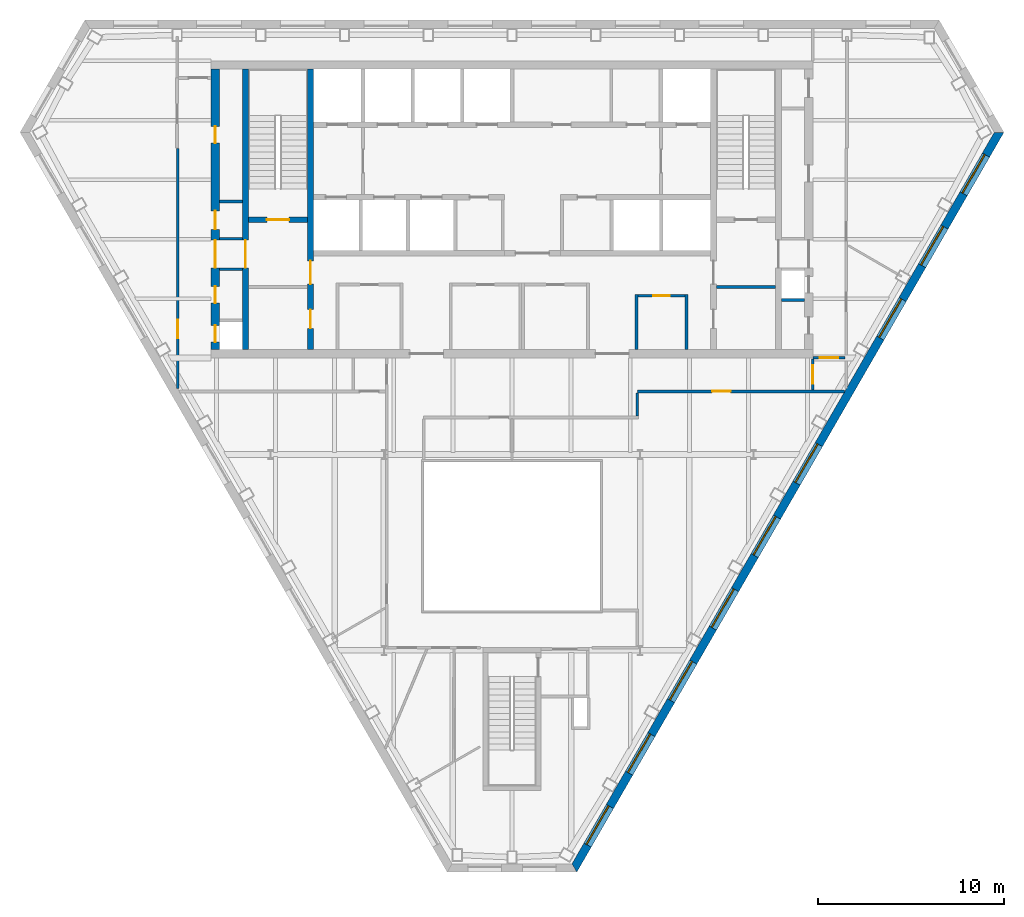
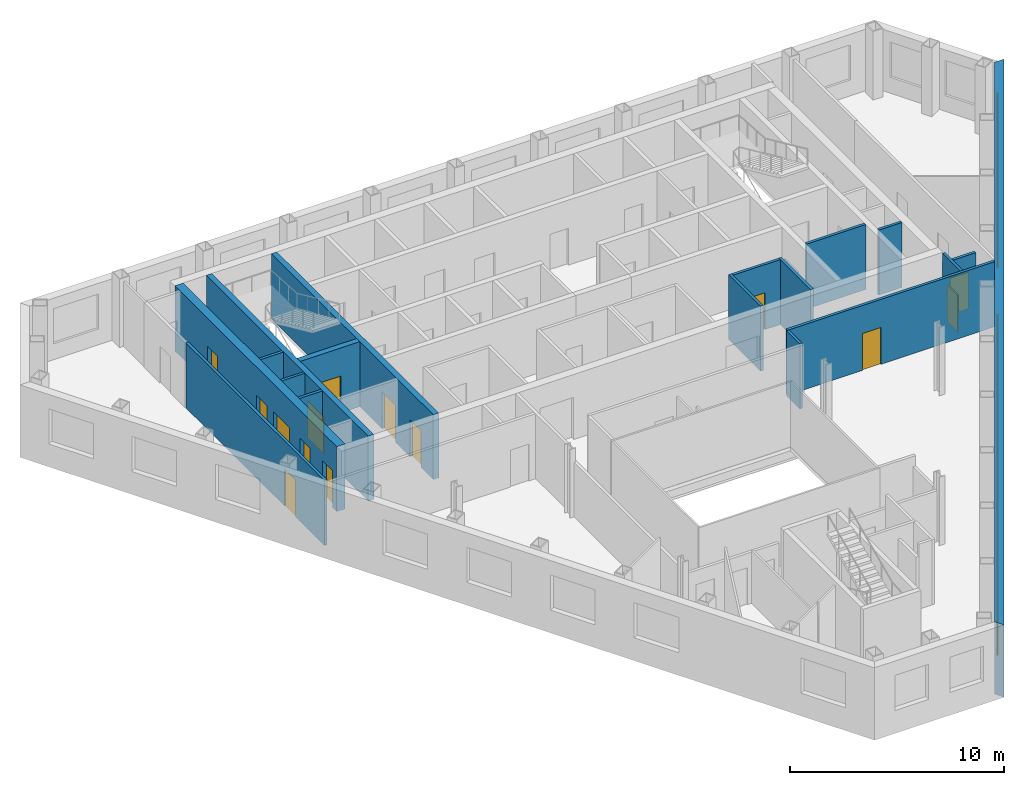
# One storey, part 5 of 11: 18 walls, 14 doors, 9 windows, 23 openings.
"""IFC4 building model written with IfcOpenShell, lengths in metres."""

from ifc_helpers import new_model, si_unit, direction, frame, frame_2d, origin, place, context, subcontext, project, spatial, polyline, rectangle, outline, extrude, material, layer, layer_set, type_object, element, fill, save


model = new_model("IFC4")

# Units and contexts
model_context = context("Model", 3, precision=1e-05, world=origin(), true_north=direction((0.0, 1.0)))
body_context = subcontext(model_context, "Body", "Model", "MODEL_VIEW")
ifc_project = project(units=[si_unit("LENGTHUNIT", "METRE"), si_unit("AREAUNIT", "SQUARE_METRE"), si_unit("VOLUMEUNIT", "CUBIC_METRE"), si_unit("PLANEANGLEUNIT", "RADIAN"), si_unit("MASSUNIT", "GRAM", prefix="KILO")], contexts=[model_context])

# Site, building, storey
site_placement = place(None, origin())
site = spatial("IfcSite", under=ifc_project, at=site_placement, CompositionType="ELEMENT")
building_placement = place(site_placement, origin())
building = spatial("IfcBuilding", under=site, at=building_placement, Name="Njiva Tower", CompositionType="ELEMENT")
storey_placement = place(building_placement, frame((0.0, 0.0, 223.8)))
storey = spatial("IfcBuildingStorey", under=building, at=storey_placement, Name="L50", CompositionType="ELEMENT", Elevation=223.8)

# Walls
ifc_material_1 = material(Name="Blockwork", Category="masonry")
ifc_layer_1 = layer(ifc_material_1, 0.15)
ifc_layer_set_1 = layer_set([ifc_layer_1], Name="Blockwork")
wall_type_1 = type_object("IfcWallType", Name="WT1 Compartment partition 150", PredefinedType="PARTITIONING", material=ifc_layer_set_1)
wall_1_placement = place(storey_placement, frame((11.0, 5.825, 0.0), z_axis=(0.0, 0.0, 1.0), x_axis=(1.0, 0.0, 0.0)))
element("IfcWall", 1, at=wall_1_placement, inside=storey, type_object=wall_type_1, Name="Room wall B", PredefinedType="PARTITIONING", context=body_context, shape_type="SweptSolid", body=[
    extrude(rectangle(XDim=3.2, YDim=0.15, at=frame_2d((1.6, 0.0))), origin(), (0.0, 0.0, 1.0), 3.7),
])
wall_2_placement = place(storey_placement, frame((-15.75, 10.4244, 0.0), z_axis=(0.0, 0.0, 1.0), x_axis=(1.0, 0.0, 0.0)))
element("IfcWall", 2, at=wall_2_placement, inside=storey, type_object=wall_type_1, Name="Partition strip W10", PredefinedType="PARTITIONING", context=body_context, shape_type="SweptSolid", body=[
    extrude(rectangle(XDim=1.25, YDim=0.15, at=frame_2d((0.625, 0.0))), origin(), (0.0, 0.0, 1.0), 3.7),
])
for number, where, z_axis, x_axis, name in (
    (3, (6.7, 2.45, 0.0), (0.0, 0.0, 1.0), (0.0, 1.0, 0.0), "Security office wall west"),
    (4, (9.4, 2.45, 0.0), (0.0, 0.0, 1.0), (0.0, 1.0, 0.0), "Security office wall east"),
):
    element("IfcWall", number, at=place(storey_placement, frame(where, z_axis=z_axis, x_axis=x_axis)), inside=storey, type_object=wall_type_1, Name=name, PredefinedType="PARTITIONING", context=body_context, shape_type="SweptSolid", body=[
        extrude(rectangle(XDim=2.975, YDim=0.15, at=frame_2d((1.4875, 0.0))), origin(), (0.0, 0.0, 1.0), 3.7),
    ])

# Wall, opening, door
wall_3_placement = place(storey_placement, frame((6.775, 5.35, 0.0), z_axis=(0.0, 0.0, 1.0), x_axis=(1.0, 0.0, 0.0)))
wall_3 = element("IfcWall", 5, at=wall_3_placement, inside=storey, type_object=wall_type_1, Name="Security office wall north", PredefinedType="PARTITIONING", context=body_context, shape_type="SweptSolid", body=[
    extrude(rectangle(XDim=2.55, YDim=0.15, at=frame_2d((1.275, 0.0))), origin(), (0.0, 0.0, 1.0), 3.7),
])
opening_1_placement = place(wall_3_placement, frame((0.825, 0.0, 0.0)))
opening_1 = element("IfcOpeningElement", 6, at=opening_1_placement, cuts=wall_3, Name="Opening S16-D936", PredefinedType="OPENING", context=body_context, shape_type="SweptSolid", body=[
    extrude(rectangle(XDim=0.9, YDim=2.1, at=frame_2d((0.45, 1.05))), frame((0.0, 0.085, 0.0), z_axis=(0.0, -1.0, 0.0), x_axis=(1.0, 0.0, 0.0)), (0.0, 0.0, 1.0), 0.17),
])
ifc_material_2 = material(Name="Steel fire door, painted", Category="steel")
door_type_1 = type_object("IfcDoorType", Name="D6 Fire-rated door 900x2100", OperationType="SINGLE_SWING_LEFT", PredefinedType="DOOR", material=ifc_material_2)
door_1_placement = place(opening_1_placement, origin())
door_1 = element("IfcDoor", 7, at=door_1_placement, inside=storey, type_object=door_type_1, Name="Security office door", OperationType="SINGLE_SWING_RIGHT", OverallHeight=2.1, OverallWidth=0.9, PredefinedType="DOOR", context=body_context, shape_type="SweptSolid", body=[
    extrude(rectangle(XDim=0.9, YDim=2.1, at=frame_2d((0.45, 1.05))), frame((0.0, 0.025, 0.0), z_axis=(0.0, -1.0, 0.0), x_axis=(1.0, 0.0, 0.0)), (0.0, 0.0, 1.0), 0.05),
])
fill(opening_1, door_1)

# Wall, openings, doors
ifc_material_3 = material(Name="Concrete C40/50", Category="concrete")
ifc_layer_2 = layer(ifc_material_3, 0.3)
ifc_layer_set_2 = layer_set([ifc_layer_2], Name="Concrete C40/50")
wall_type_2 = type_object("IfcWallType", Name="WT10 Stair enclosure wall 300", PredefinedType="SHEAR", material=ifc_layer_set_2)
wall_4_placement = place(storey_placement, frame((-10.85, 2.45, 0.0), z_axis=(0.0, 0.0, 1.0), x_axis=(0.0, 1.0, 0.0)))
wall_4 = element("IfcWall", 8, at=wall_4_placement, inside=storey, type_object=wall_type_2, Name="Stair wall west inner", PredefinedType="SHEAR", context=body_context, shape_type="SweptSolid", body=[
    extrude(rectangle(XDim=15.1, YDim=0.3, at=frame_2d((7.55, 0.0))), origin(), (0.0, 0.0, 1.0), 3.7),
])
opening_2_placement = place(wall_4_placement, frame((3.525, 0.0, 0.0)))
opening_2 = element("IfcOpeningElement", 9, at=opening_2_placement, cuts=wall_4, Name="Opening S16-D915", PredefinedType="OPENING", context=body_context, shape_type="SweptSolid", body=[
    extrude(rectangle(XDim=1.25, YDim=2.1, at=frame_2d((0.625, 1.05))), frame((0.0, 0.16, 0.0), z_axis=(0.0, -1.0, 0.0), x_axis=(1.0, 0.0, 0.0)), (0.0, 0.0, 1.0), 0.32),
])
opening_3_placement = place(wall_4_placement, frame((1.15, 0.0, 0.0)))
opening_3 = element("IfcOpeningElement", 10, at=opening_3_placement, cuts=wall_4, Name="Opening S16-D916", PredefinedType="OPENING", context=body_context, shape_type="SweptSolid", body=[
    extrude(rectangle(XDim=1.0, YDim=2.1, at=frame_2d((0.5, 1.05))), frame((0.0, 0.16, 0.0), z_axis=(0.0, -1.0, 0.0), x_axis=(1.0, 0.0, 0.0)), (0.0, 0.0, 1.0), 0.32),
])
ifc_material_4 = material(Name="Steel door, painted", Category="steel")
door_type_2 = type_object("IfcDoorType", Name="D5 Steel door 1000x2100", OperationType="SINGLE_SWING_LEFT", PredefinedType="DOOR", material=ifc_material_4)
door_2_placement = place(opening_3_placement, origin())
door_2 = element("IfcDoor", 11, at=door_2_placement, inside=storey, type_object=door_type_2, Name="First aid room door", OperationType="SINGLE_SWING_RIGHT", OverallHeight=2.1, OverallWidth=1.0, PredefinedType="DOOR", context=body_context, shape_type="SweptSolid", body=[
    extrude(rectangle(XDim=1.0, YDim=2.1, at=frame_2d((0.5, 1.05))), frame((0.0, 0.025, 0.0), z_axis=(0.0, -1.0, 0.0), x_axis=(1.0, 0.0, 0.0)), (0.0, 0.0, 1.0), 0.05),
])
fill(opening_3, door_2)
ifc_material_5 = material(Name="Glazed steel fire door", Category="steel")
door_type_3 = type_object("IfcDoorType", Name="D8 Vestibule corridor door 1250x2100 glazed", OperationType="SINGLE_SWING_LEFT", PredefinedType="DOOR", material=ifc_material_5)
door_3_placement = place(opening_2_placement, origin())
door_3 = element("IfcDoor", 12, at=door_3_placement, inside=storey, type_object=door_type_3, Name="Stair vestibule corridor door", OperationType="SINGLE_SWING_LEFT", OverallHeight=2.1, OverallWidth=1.25, PredefinedType="DOOR", context=body_context, shape_type="SweptSolid", body=[
    extrude(rectangle(XDim=1.25, YDim=2.1, at=frame_2d((0.625, 1.05))), frame((0.0, 0.025, 0.0), z_axis=(0.0, -1.0, 0.0), x_axis=(1.0, 0.0, 0.0)), (0.0, 0.0, 1.0), 0.05),
])
fill(opening_2, door_3)

# Wall, opening, door
wall_5_placement = place(storey_placement, frame((-14.35, 2.45, 0.0), z_axis=(0.0, 0.0, 1.0), x_axis=(0.0, 1.0, 0.0)))
wall_5 = element("IfcWall", 13, at=wall_5_placement, inside=storey, type_object=wall_type_2, Name="Stair wall west outer", PredefinedType="SHEAR", context=body_context, shape_type="SweptSolid", body=[
    extrude(rectangle(XDim=15.1, YDim=0.3, at=frame_2d((7.55, 0.0))), origin(), (0.0, 0.0, 1.0), 3.7),
])
opening_4_placement = place(wall_5_placement, frame((4.4, 0.0, 0.0)))
opening_4 = element("IfcOpeningElement", 14, at=opening_4_placement, cuts=wall_5, Name="Opening S16-D921", PredefinedType="OPENING", context=body_context, shape_type="SweptSolid", body=[
    extrude(rectangle(XDim=1.5, YDim=2.1, at=frame_2d((0.75, 1.05))), frame((0.0, 0.16, 0.0), z_axis=(0.0, -1.0, 0.0), x_axis=(1.0, 0.0, 0.0)), (0.0, 0.0, 1.0), 0.32),
])
door_type_4 = type_object("IfcDoorType", Name="D10 Exit door double 1500x2100 glazed", OperationType="DOUBLE_DOOR_SINGLE_SWING", PredefinedType="DOOR", material=ifc_material_5)
door_4_placement = place(opening_4_placement, origin())
door_4 = element("IfcDoor", 15, at=door_4_placement, inside=storey, type_object=door_type_4, Name="Stair A passage door", OperationType="DOUBLE_DOOR_SINGLE_SWING", OverallHeight=2.1, OverallWidth=1.5, PredefinedType="DOOR", context=body_context, shape_type="SweptSolid", body=[
    extrude(rectangle(XDim=1.5, YDim=2.1, at=frame_2d((0.75, 1.05))), frame((0.0, 0.025, 0.0), z_axis=(0.0, -1.0, 0.0), x_axis=(1.0, 0.0, 0.0)), (0.0, 0.0, 1.0), 0.05),
])
fill(opening_4, door_4)

wall_6_placement = place(storey_placement, frame((-14.2, 9.45, 0.0), z_axis=(0.0, 0.0, 1.0), x_axis=(1.0, 0.0, 0.0)))
wall_6 = element("IfcWall", 16, at=wall_6_placement, inside=storey, type_object=wall_type_2, Name="Stair A south wall", PredefinedType="SHEAR", context=body_context, shape_type="SweptSolid", body=[
    extrude(rectangle(XDim=3.2, YDim=0.3, at=frame_2d((1.6, 0.0))), origin(), (0.0, 0.0, 1.0), 3.7),
])
opening_5_placement = place(wall_6_placement, frame((1.0, 0.0, 0.0)))
opening_5 = element("IfcOpeningElement", 17, at=opening_5_placement, cuts=wall_6, Name="Opening S16-D914", PredefinedType="OPENING", context=body_context, shape_type="SweptSolid", body=[
    extrude(rectangle(XDim=1.2, YDim=2.1, at=frame_2d((0.6, 1.05))), frame((0.0, 0.16, 0.0), z_axis=(0.0, -1.0, 0.0), x_axis=(1.0, 0.0, 0.0)), (0.0, 0.0, 1.0), 0.32),
])
door_type_5 = type_object("IfcDoorType", Name="D7 Stair vestibule door 1200x2100 glazed", OperationType="SINGLE_SWING_LEFT", PredefinedType="DOOR", material=ifc_material_5)
door_5_placement = place(opening_5_placement, origin())
door_5 = element("IfcDoor", 18, at=door_5_placement, inside=storey, type_object=door_type_5, Name="Stair A door", OperationType="SINGLE_SWING_LEFT", OverallHeight=2.1, OverallWidth=1.2, PredefinedType="DOOR", context=body_context, shape_type="SweptSolid", body=[
    extrude(rectangle(XDim=1.2, YDim=2.1, at=frame_2d((0.6, 1.05))), frame((0.0, 0.025, 0.0), z_axis=(0.0, -1.0, 0.0), x_axis=(1.0, 0.0, 0.0)), (0.0, 0.0, 1.0), 0.05),
])
fill(opening_5, door_5)

# Wall, openings, doors
ifc_material_6 = material(Name="Concrete C60/75", Category="concrete")
ifc_layer_3 = layer(ifc_material_6, 0.45)
ifc_layer_set_3 = layer_set([ifc_layer_3], Name="Concrete C60/75")
wall_type_3 = type_object("IfcWallType", Name="WT12 Core wall 450", PredefinedType="SHEAR", material=ifc_layer_set_3)
wall_7_placement = place(storey_placement, frame((-15.975, 2.45, 0.0), z_axis=(0.0, 0.0, 1.0), x_axis=(0.0, 1.0, 0.0)))
wall_7 = element("IfcWall", 19, at=wall_7_placement, inside=storey, type_object=wall_type_3, Name="Core wall west", PredefinedType="SHEAR", context=body_context, shape_type="SweptSolid", body=[
    extrude(rectangle(XDim=15.1, YDim=0.45, at=frame_2d((7.55, 0.0))), origin(), (0.0, 0.0, 1.0), 3.7),
])
opening_6_placement = place(wall_7_placement, frame((4.4, 0.0, 0.0)))
opening_6 = element("IfcOpeningElement", 20, at=opening_6_placement, cuts=wall_7, Name="Opening S16-D922", PredefinedType="OPENING", context=body_context, shape_type="SweptSolid", body=[
    extrude(rectangle(XDim=1.5, YDim=2.1, at=frame_2d((0.75, 1.05))), frame((0.0, 0.235, 0.0), z_axis=(0.0, -1.0, 0.0), x_axis=(1.0, 0.0, 0.0)), (0.0, 0.0, 1.0), 0.47),
])
opening_7_placement = place(wall_7_placement, frame((0.4, 0.0, 0.0)))
opening_7 = element("IfcOpeningElement", 21, at=opening_7_placement, cuts=wall_7, Name="Opening S16-D923", PredefinedType="OPENING", context=body_context, shape_type="SweptSolid", body=[
    extrude(rectangle(XDim=0.9, YDim=2.1, at=frame_2d((0.45, 1.05))), frame((0.0, 0.235, 0.0), z_axis=(0.0, -1.0, 0.0), x_axis=(1.0, 0.0, 0.0)), (0.0, 0.0, 1.0), 0.47),
])
opening_8_placement = place(wall_7_placement, frame((2.5, 0.0, 0.0)))
opening_8 = element("IfcOpeningElement", 22, at=opening_8_placement, cuts=wall_7, Name="Opening S16-D924", PredefinedType="OPENING", context=body_context, shape_type="SweptSolid", body=[
    extrude(rectangle(XDim=0.9, YDim=2.1, at=frame_2d((0.45, 1.05))), frame((0.0, 0.235, 0.0), z_axis=(0.0, -1.0, 0.0), x_axis=(1.0, 0.0, 0.0)), (0.0, 0.0, 1.0), 0.47),
])
opening_9_placement = place(wall_7_placement, frame((6.4747, 0.0, 0.0)))
opening_9 = element("IfcOpeningElement", 23, at=opening_9_placement, cuts=wall_7, Name="Opening S16-D925", PredefinedType="OPENING", context=body_context, shape_type="SweptSolid", body=[
    extrude(rectangle(XDim=1.0, YDim=2.1, at=frame_2d((0.5, 1.05))), frame((0.0, 0.235, 0.0), z_axis=(0.0, -1.0, 0.0), x_axis=(1.0, 0.0, 0.0)), (0.0, 0.0, 1.0), 0.47),
])
opening_10_placement = place(wall_7_placement, frame((11.1247, 0.0, 0.0)))
opening_10 = element("IfcOpeningElement", 24, at=opening_10_placement, cuts=wall_7, Name="Opening S16-D926", PredefinedType="OPENING", context=body_context, shape_type="SweptSolid", body=[
    extrude(rectangle(XDim=0.9, YDim=2.1, at=frame_2d((0.45, 1.05))), frame((0.0, 0.235, 0.0), z_axis=(0.0, -1.0, 0.0), x_axis=(1.0, 0.0, 0.0)), (0.0, 0.0, 1.0), 0.47),
])
door_6_placement = place(opening_6_placement, origin())
door_6 = element("IfcDoor", 25, at=door_6_placement, inside=storey, type_object=door_type_4, Name="Stair A corridor door", OperationType="DOUBLE_DOOR_SINGLE_SWING", OverallHeight=2.1, OverallWidth=1.5, PredefinedType="DOOR", context=body_context, shape_type="SweptSolid", body=[
    extrude(rectangle(XDim=1.5, YDim=2.1, at=frame_2d((0.75, 1.05))), frame((0.0, 0.025, 0.0), z_axis=(0.0, -1.0, 0.0), x_axis=(1.0, 0.0, 0.0)), (0.0, 0.0, 1.0), 0.05),
])
fill(opening_6, door_6)
door_type_6 = type_object("IfcDoorType", Name="D4 Riser door 900x2100", OperationType="SINGLE_SWING_LEFT", PredefinedType="DOOR", material=ifc_material_4)
door_7_placement = place(opening_7_placement, origin())
door_7 = element("IfcDoor", 26, at=door_7_placement, inside=storey, type_object=door_type_6, Name="Cable riser door", OperationType="SINGLE_SWING_RIGHT", OverallHeight=2.1, OverallWidth=0.9, PredefinedType="DOOR", context=body_context, shape_type="SweptSolid", body=[
    extrude(rectangle(XDim=0.9, YDim=2.1, at=frame_2d((0.45, 1.05))), frame((0.0, 0.025, 0.0), z_axis=(0.0, -1.0, 0.0), x_axis=(1.0, 0.0, 0.0)), (0.0, 0.0, 1.0), 0.05),
])
fill(opening_7, door_7)
door_8_placement = place(opening_9_placement, origin())
door_8 = element("IfcDoor", 27, at=door_8_placement, inside=storey, type_object=door_type_2, Name="Electrical room door", OperationType="SINGLE_SWING_RIGHT", OverallHeight=2.1, OverallWidth=1.0, PredefinedType="DOOR", context=body_context, shape_type="SweptSolid", body=[
    extrude(rectangle(XDim=1.0, YDim=2.1, at=frame_2d((0.5, 1.05))), frame((0.0, 0.025, 0.0), z_axis=(0.0, -1.0, 0.0), x_axis=(1.0, 0.0, 0.0)), (0.0, 0.0, 1.0), 0.05),
])
fill(opening_9, door_8)
door_9_placement = place(opening_8_placement, origin())
door_9 = element("IfcDoor", 28, at=door_9_placement, inside=storey, type_object=door_type_1, Name="Cable store door", OperationType="SINGLE_SWING_RIGHT", OverallHeight=2.1, OverallWidth=0.9, PredefinedType="DOOR", context=body_context, shape_type="SweptSolid", body=[
    extrude(rectangle(XDim=0.9, YDim=2.1, at=frame_2d((0.45, 1.05))), frame((0.0, 0.025, 0.0), z_axis=(0.0, -1.0, 0.0), x_axis=(1.0, 0.0, 0.0)), (0.0, 0.0, 1.0), 0.05),
])
fill(opening_8, door_9)
door_10_placement = place(opening_10_placement, origin())
door_10 = element("IfcDoor", 29, at=door_10_placement, inside=storey, type_object=door_type_1, Name="Cable store door", OperationType="SINGLE_SWING_LEFT", OverallHeight=2.1, OverallWidth=0.9, PredefinedType="DOOR", context=body_context, shape_type="SweptSolid", body=[
    extrude(rectangle(XDim=0.9, YDim=2.1, at=frame_2d((0.45, 1.05))), frame((0.0, 0.025, 0.0), z_axis=(0.0, -1.0, 0.0), x_axis=(1.0, 0.0, 0.0)), (0.0, 0.0, 1.0), 0.05),
])
fill(opening_10, door_10)

# Wall, opening, door
ifc_material_7 = material(Name="Gypsum board on steel studs", Category="gypsum")
ifc_layer_4 = layer(ifc_material_7, 0.15)
ifc_layer_set_4 = layer_set([ifc_layer_4], Name="Gypsum board on steel studs")
wall_type_4 = type_object("IfcWallType", Name="WT21 Compartment wall 150", PredefinedType="PARTITIONING", material=ifc_layer_set_4)
wall_8_placement = place(storey_placement, frame((-18.001, 0.344, 0.0), z_axis=(0.0, 0.0, 1.0), x_axis=(7.732158e-05, 0.999999997011, 0.0)))
wall_8 = element("IfcWall", 30, at=wall_8_placement, inside=storey, type_object=wall_type_4, Name="Partition S16-P003", PredefinedType="PARTITIONING", context=body_context, shape_type="SweptSolid", body=[
    extrude(rectangle(XDim=12.933, YDim=0.15, at=frame_2d((6.4665, 0.0))), origin(), (0.0, 0.0, 1.0), 3.7),
])
opening_11_placement = place(wall_8_placement, frame((2.707, 0.0, 0.0)))
opening_11 = element("IfcOpeningElement", 31, at=opening_11_placement, cuts=wall_8, Name="Opening S16-D002", PredefinedType="OPENING", context=body_context, shape_type="SweptSolid", body=[
    extrude(rectangle(XDim=1.0, YDim=2.1, at=frame_2d((0.5, 1.05))), frame((0.0, 0.085, 0.0), z_axis=(0.0, -1.0, 0.0), x_axis=(1.0, 0.0, 0.0)), (0.0, 0.0, 1.0), 0.17),
])
ifc_material_8 = material(Name="Steel fire door set", Category="steel")
door_type_7 = type_object("IfcDoorType", Name="D37 Fire door 1000x2100", OperationType="SINGLE_SWING_LEFT", PredefinedType="DOOR", material=ifc_material_8)
door_11_placement = place(opening_11_placement, origin())
door_11 = element("IfcDoor", 32, at=door_11_placement, inside=storey, type_object=door_type_7, Name="Door S16-D002", OperationType="SINGLE_SWING_RIGHT", OverallHeight=2.1, OverallWidth=1.0, PredefinedType="DOOR", context=body_context, shape_type="SweptSolid", body=[
    extrude(rectangle(XDim=1.0, YDim=2.1, at=frame_2d((0.5, 1.05))), frame((0.0, 0.025, 0.0), z_axis=(0.0, -1.0, 0.0), x_axis=(1.0, 0.0, 0.0)), (0.0, 0.0, 1.0), 0.05),
])
fill(opening_11, door_11)

# Wall
wall_9_placement = place(storey_placement, frame((6.75, -1.125, 0.0), z_axis=(0.0, 0.0, 1.0), x_axis=(0.0, 1.0, 0.0)))
element("IfcWall", 33, at=wall_9_placement, inside=storey, type_object=wall_type_4, Name="Partition S16-P020", PredefinedType="PARTITIONING", context=body_context, shape_type="SweptSolid", body=[
    extrude(rectangle(XDim=1.25, YDim=0.15, at=frame_2d((0.625, 0.0))), origin(), (0.0, 0.0, 1.0), 3.7),
])

# Wall, opening, door
wall_10_placement = place(storey_placement, frame((6.75, 0.2, 0.0), z_axis=(0.0, 0.0, 1.0), x_axis=(1.0, 0.0, 0.0)))
wall_10 = element("IfcWall", 34, at=wall_10_placement, inside=storey, type_object=wall_type_4, Name="Partition S16-P021", PredefinedType="PARTITIONING", context=body_context, shape_type="SweptSolid", body=[
    extrude(rectangle(XDim=11.168, YDim=0.15, at=frame_2d((5.584, 0.0))), origin(), (0.0, 0.0, 1.0), 3.7),
])
opening_12_placement = place(wall_10_placement, frame((4.03, 0.0, 0.0)))
opening_12 = element("IfcOpeningElement", 35, at=opening_12_placement, cuts=wall_10, Name="Opening S16-D011", PredefinedType="OPENING", context=body_context, shape_type="SweptSolid", body=[
    extrude(rectangle(XDim=1.0, YDim=2.1, at=frame_2d((0.5, 1.05))), frame((0.0, 0.085, 0.0), z_axis=(0.0, -1.0, 0.0), x_axis=(1.0, 0.0, 0.0)), (0.0, 0.0, 1.0), 0.17),
])
door_12_placement = place(opening_12_placement, origin())
door_12 = element("IfcDoor", 36, at=door_12_placement, inside=storey, type_object=door_type_7, Name="Door S16-D011", OperationType="SINGLE_SWING_LEFT", OverallHeight=2.1, OverallWidth=1.0, PredefinedType="DOOR", context=body_context, shape_type="SweptSolid", body=[
    extrude(rectangle(XDim=1.0, YDim=2.1, at=frame_2d((0.5, 1.05))), frame((0.0, 0.025, 0.0), z_axis=(0.0, -1.0, 0.0), x_axis=(1.0, 0.0, 0.0)), (0.0, 0.0, 1.0), 0.05),
])
fill(opening_12, door_12)

wall_11_placement = place(storey_placement, frame((16.2, 0.275, 0.0), z_axis=(0.0, 0.0, 1.0), x_axis=(0.0, 1.0, 0.0)))
wall_11 = element("IfcWall", 37, at=wall_11_placement, inside=storey, type_object=wall_type_4, Name="Partition S16-P022", PredefinedType="PARTITIONING", context=body_context, shape_type="SweptSolid", body=[
    extrude(rectangle(XDim=1.662, YDim=0.15, at=frame_2d((0.831, 0.0))), origin(), (0.0, 0.0, 1.0), 3.7),
])
opening_13_placement = place(wall_11_placement, frame((0.331, 0.0, 0.0)))
opening_13 = element("IfcOpeningElement", 38, at=opening_13_placement, cuts=wall_11, Name="Opening S16-D012", PredefinedType="OPENING", context=body_context, shape_type="SweptSolid", body=[
    extrude(rectangle(XDim=1.0, YDim=2.1, at=frame_2d((0.5, 1.05))), frame((0.0, 0.085, 0.0), z_axis=(0.0, -1.0, 0.0), x_axis=(1.0, 0.0, 0.0)), (0.0, 0.0, 1.0), 0.17),
])
door_13_placement = place(opening_13_placement, origin())
door_13 = element("IfcDoor", 39, at=door_13_placement, inside=storey, type_object=door_type_7, Name="Door S16-D012", OperationType="SINGLE_SWING_LEFT", OverallHeight=2.1, OverallWidth=1.0, PredefinedType="DOOR", context=body_context, shape_type="SweptSolid", body=[
    extrude(rectangle(XDim=1.0, YDim=2.1, at=frame_2d((0.5, 1.05))), frame((0.0, 0.025, 0.0), z_axis=(0.0, -1.0, 0.0), x_axis=(1.0, 0.0, 0.0)), (0.0, 0.0, 1.0), 0.05),
])
fill(opening_13, door_13)

wall_12_placement = place(storey_placement, frame((16.2, 2.012, 0.0), z_axis=(0.0, 0.0, 1.0), x_axis=(1.0, 0.0, 0.0)))
wall_12 = element("IfcWall", 40, at=wall_12_placement, inside=storey, type_object=wall_type_4, Name="Partition S16-P023", PredefinedType="PARTITIONING", context=body_context, shape_type="SweptSolid", body=[
    extrude(rectangle(XDim=1.726, YDim=0.15, at=frame_2d((0.863, 0.0))), origin(), (0.0, 0.0, 1.0), 3.11),
])
opening_14_placement = place(wall_12_placement, frame((0.363, 0.0, 0.0)))
opening_14 = element("IfcOpeningElement", 41, at=opening_14_placement, cuts=wall_12, Name="Opening S16-D013", PredefinedType="OPENING", context=body_context, shape_type="SweptSolid", body=[
    extrude(rectangle(XDim=1.0, YDim=2.1, at=frame_2d((0.5, 1.05))), frame((0.0, 0.085, 0.0), z_axis=(0.0, -1.0, 0.0), x_axis=(1.0, 0.0, 0.0)), (0.0, 0.0, 1.0), 0.17),
])
door_14_placement = place(opening_14_placement, origin())
door_14 = element("IfcDoor", 42, at=door_14_placement, inside=storey, type_object=door_type_7, Name="Door S16-D013", OperationType="SINGLE_SWING_LEFT", OverallHeight=2.1, OverallWidth=1.0, PredefinedType="DOOR", context=body_context, shape_type="SweptSolid", body=[
    extrude(rectangle(XDim=1.0, YDim=2.1, at=frame_2d((0.5, 1.05))), frame((0.0, 0.025, 0.0), z_axis=(0.0, -1.0, 0.0), x_axis=(1.0, 0.0, 0.0)), (0.0, 0.0, 1.0), 0.05),
])
fill(opening_14, door_14)

# Walls
ifc_layer_5 = layer(ifc_material_1, 0.15)
ifc_layer_set_5 = layer_set([ifc_layer_5], Name="Blockwork")
wall_type_5 = type_object("IfcWallType", Name="WT3 Riser partition 150", PredefinedType="PARTITIONING", material=ifc_layer_set_5)
wall_13_placement = place(storey_placement, frame((14.5, 5.125, 0.0), z_axis=(0.0, 0.0, 1.0), x_axis=(1.0, 0.0, 0.0)))
element("IfcWall", 43, at=wall_13_placement, inside=storey, type_object=wall_type_5, Name="Partition strip E00", PredefinedType="PARTITIONING", context=body_context, shape_type="SweptSolid", body=[
    extrude(rectangle(XDim=1.25, YDim=0.15, at=frame_2d((0.625, 0.0))), origin(), (0.0, 0.0, 1.0), 3.7),
])
ifc_layer_6 = layer(ifc_material_1, 0.15)
ifc_layer_set_6 = layer_set([ifc_layer_6], Name="Blockwork")
wall_type_6 = type_object("IfcWallType", Name="WT4 Stair partition 150", PredefinedType="PARTITIONING", material=ifc_layer_set_6)
for number, where, z_axis, x_axis, name in (
    (44, (-15.75, 6.775, 0.0), (0.0, 0.0, 1.0), (1.0, 0.0, 0.0), "Stair A exit passage wall south"),
    (45, (-15.75, 8.425, 0.0), (0.0, 0.0, 1.0), (1.0, 0.0, 0.0), "Stair A exit passage wall north"),
):
    element("IfcWall", number, at=place(storey_placement, frame(where, z_axis=z_axis, x_axis=x_axis)), inside=storey, type_object=wall_type_6, Name=name, PredefinedType="PARTITIONING", context=body_context, shape_type="SweptSolid", body=[
        extrude(rectangle(XDim=1.25, YDim=0.15, at=frame_2d((0.625, 0.0))), origin(), (0.0, 0.0, 1.0), 3.7),
    ])

# Wall, openings, windows
ifc_material_9 = material(Name="Brick masonry", Category="masonry")
ifc_layer_7 = layer(ifc_material_9, 0.45)
ifc_layer_set_7 = layer_set([ifc_layer_7], Name="Brick masonry")
wall_type_7 = type_object("IfcWallType", Name="WT90 Brick pier and spandrel wall 450", PredefinedType="SOLIDWALL", material=ifc_layer_set_7)
wall_14_placement = place(storey_placement, frame((3.3601, -25.4657, -0.4), z_axis=(0.0, 0.0, 1.0), x_axis=(0.500000335318, 0.866025210188, 0.0)))
wall_14 = element("IfcWall", 46, at=wall_14_placement, inside=storey, type_object=wall_type_7, Name="Facade wall SE", PredefinedType="SOLIDWALL", context=body_context, shape_type="SweptSolid", body=[
    extrude(outline(polyline([(-0.1299, -0.225), (45.8801, -0.225), (45.6203, 0.225), (0.1299, 0.225), (-0.1299, -0.225)])), origin(), (0.0, 0.0, 1.0), 4.12),
])
opening_15_placement = place(wall_14_placement, frame((1.4247, 0.0, 1.3)))
opening_15 = element("IfcOpeningElement", 47, at=opening_15_placement, cuts=wall_14, Name="Opening S16-W22", PredefinedType="OPENING", context=body_context, shape_type="SweptSolid", body=[
    extrude(rectangle(XDim=2.4, YDim=2.0, at=frame_2d((1.2, 1.0))), frame((0.0, 0.235, 0.0), z_axis=(0.0, -1.0, 0.0), x_axis=(1.0, 0.0, 0.0)), (0.0, 0.0, 1.0), 0.47),
])
opening_16_placement = place(wall_14_placement, frame((5.8949, 0.0, 1.3)))
opening_16 = element("IfcOpeningElement", 48, at=opening_16_placement, cuts=wall_14, Name="Opening S16-W23", PredefinedType="OPENING", context=body_context, shape_type="SweptSolid", body=[
    extrude(rectangle(XDim=2.4, YDim=2.0, at=frame_2d((1.2, 1.0))), frame((0.0, 0.235, 0.0), z_axis=(0.0, -1.0, 0.0), x_axis=(1.0, 0.0, 0.0)), (0.0, 0.0, 1.0), 0.47),
])
opening_17_placement = place(wall_14_placement, frame((10.4035, 0.0, 1.3)))
opening_17 = element("IfcOpeningElement", 49, at=opening_17_placement, cuts=wall_14, Name="Opening S16-W24", PredefinedType="OPENING", context=body_context, shape_type="SweptSolid", body=[
    extrude(rectangle(XDim=2.4, YDim=2.0, at=frame_2d((1.2, 1.0))), frame((0.0, 0.235, 0.0), z_axis=(0.0, -1.0, 0.0), x_axis=(1.0, 0.0, 0.0)), (0.0, 0.0, 1.0), 0.47),
])
opening_18_placement = place(wall_14_placement, frame((14.9122, 0.0, 1.3)))
opening_18 = element("IfcOpeningElement", 50, at=opening_18_placement, cuts=wall_14, Name="Opening S16-W25", PredefinedType="OPENING", context=body_context, shape_type="SweptSolid", body=[
    extrude(rectangle(XDim=2.4, YDim=2.0, at=frame_2d((1.2, 1.0))), frame((0.0, 0.235, 0.0), z_axis=(0.0, -1.0, 0.0), x_axis=(1.0, 0.0, 0.0)), (0.0, 0.0, 1.0), 0.47),
])
opening_19_placement = place(wall_14_placement, frame((19.4208, 0.0, 1.3)))
opening_19 = element("IfcOpeningElement", 51, at=opening_19_placement, cuts=wall_14, Name="Opening S16-W26", PredefinedType="OPENING", context=body_context, shape_type="SweptSolid", body=[
    extrude(rectangle(XDim=2.4, YDim=2.0, at=frame_2d((1.2, 1.0))), frame((0.0, 0.235, 0.0), z_axis=(0.0, -1.0, 0.0), x_axis=(1.0, 0.0, 0.0)), (0.0, 0.0, 1.0), 0.47),
])
opening_20_placement = place(wall_14_placement, frame((23.9294, 0.0, 1.3)))
opening_20 = element("IfcOpeningElement", 52, at=opening_20_placement, cuts=wall_14, Name="Opening S16-W27", PredefinedType="OPENING", context=body_context, shape_type="SweptSolid", body=[
    extrude(rectangle(XDim=2.4, YDim=2.0, at=frame_2d((1.2, 1.0))), frame((0.0, 0.235, 0.0), z_axis=(0.0, -1.0, 0.0), x_axis=(1.0, 0.0, 0.0)), (0.0, 0.0, 1.0), 0.47),
])
opening_21_placement = place(wall_14_placement, frame((32.9466, 0.0, 1.3)))
opening_21 = element("IfcOpeningElement", 53, at=opening_21_placement, cuts=wall_14, Name="Opening S16-W28", PredefinedType="OPENING", context=body_context, shape_type="SweptSolid", body=[
    extrude(rectangle(XDim=2.4, YDim=2.0, at=frame_2d((1.2, 1.0))), frame((0.0, 0.235, 0.0), z_axis=(0.0, -1.0, 0.0), x_axis=(1.0, 0.0, 0.0)), (0.0, 0.0, 1.0), 0.47),
])
opening_22_placement = place(wall_14_placement, frame((37.4553, 0.0, 1.3)))
opening_22 = element("IfcOpeningElement", 54, at=opening_22_placement, cuts=wall_14, Name="Opening S16-W29", PredefinedType="OPENING", context=body_context, shape_type="SweptSolid", body=[
    extrude(rectangle(XDim=2.4, YDim=2.0, at=frame_2d((1.2, 1.0))), frame((0.0, 0.235, 0.0), z_axis=(0.0, -1.0, 0.0), x_axis=(1.0, 0.0, 0.0)), (0.0, 0.0, 1.0), 0.47),
])
opening_23_placement = place(wall_14_placement, frame((41.9255, 0.0, 1.3)))
opening_23 = element("IfcOpeningElement", 55, at=opening_23_placement, cuts=wall_14, Name="Opening S16-W30", PredefinedType="OPENING", context=body_context, shape_type="SweptSolid", body=[
    extrude(rectangle(XDim=2.4, YDim=2.0, at=frame_2d((1.2, 1.0))), frame((0.0, 0.235, 0.0), z_axis=(0.0, -1.0, 0.0), x_axis=(1.0, 0.0, 0.0)), (0.0, 0.0, 1.0), 0.47),
])
ifc_material_10 = material(Name="Clear glazing in aluminium frame", Category="aluminium")
window_type = type_object("IfcWindowType", Name="W90 Deep-set window 2400x2000", PartitioningType="SINGLE_PANEL", PredefinedType="WINDOW", material=ifc_material_10)
window_1_placement = place(opening_15_placement, origin())
window_1 = element("IfcWindow", 56, at=window_1_placement, inside=storey, type_object=window_type, Name="Window", OverallHeight=2.0, OverallWidth=2.4, PartitioningType="SINGLE_PANEL", PredefinedType="WINDOW", context=body_context, shape_type="SweptSolid", body=[
    extrude(rectangle(XDim=2.4, YDim=2.0, at=frame_2d((1.2, 1.0))), frame((0.0, 0.105, 0.0), z_axis=(0.0, -1.0, 0.0), x_axis=(1.0, 0.0, 0.0)), (0.0, 0.0, 1.0), 0.06),
])
fill(opening_15, window_1)
window_2_placement = place(opening_16_placement, origin())
window_2 = element("IfcWindow", 57, at=window_2_placement, inside=storey, type_object=window_type, Name="Window", OverallHeight=2.0, OverallWidth=2.4, PartitioningType="SINGLE_PANEL", PredefinedType="WINDOW", context=body_context, shape_type="SweptSolid", body=[
    extrude(rectangle(XDim=2.4, YDim=2.0, at=frame_2d((1.2, 1.0))), frame((0.0, 0.105, 0.0), z_axis=(0.0, -1.0, 0.0), x_axis=(1.0, 0.0, 0.0)), (0.0, 0.0, 1.0), 0.06),
])
fill(opening_16, window_2)
window_3_placement = place(opening_17_placement, origin())
window_3 = element("IfcWindow", 58, at=window_3_placement, inside=storey, type_object=window_type, Name="Window", OverallHeight=2.0, OverallWidth=2.4, PartitioningType="SINGLE_PANEL", PredefinedType="WINDOW", context=body_context, shape_type="SweptSolid", body=[
    extrude(rectangle(XDim=2.4, YDim=2.0, at=frame_2d((1.2, 1.0))), frame((0.0, 0.105, 0.0), z_axis=(0.0, -1.0, 0.0), x_axis=(1.0, 0.0, 0.0)), (0.0, 0.0, 1.0), 0.06),
])
fill(opening_17, window_3)
window_4_placement = place(opening_18_placement, origin())
window_4 = element("IfcWindow", 59, at=window_4_placement, inside=storey, type_object=window_type, Name="Window", OverallHeight=2.0, OverallWidth=2.4, PartitioningType="SINGLE_PANEL", PredefinedType="WINDOW", context=body_context, shape_type="SweptSolid", body=[
    extrude(rectangle(XDim=2.4, YDim=2.0, at=frame_2d((1.2, 1.0))), frame((0.0, 0.105, 0.0), z_axis=(0.0, -1.0, 0.0), x_axis=(1.0, 0.0, 0.0)), (0.0, 0.0, 1.0), 0.06),
])
fill(opening_18, window_4)
window_5_placement = place(opening_19_placement, origin())
window_5 = element("IfcWindow", 60, at=window_5_placement, inside=storey, type_object=window_type, Name="Window", OverallHeight=2.0, OverallWidth=2.4, PartitioningType="SINGLE_PANEL", PredefinedType="WINDOW", context=body_context, shape_type="SweptSolid", body=[
    extrude(rectangle(XDim=2.4, YDim=2.0, at=frame_2d((1.2, 1.0))), frame((0.0, 0.105, 0.0), z_axis=(0.0, -1.0, 0.0), x_axis=(1.0, 0.0, 0.0)), (0.0, 0.0, 1.0), 0.06),
])
fill(opening_19, window_5)
window_6_placement = place(opening_20_placement, origin())
window_6 = element("IfcWindow", 61, at=window_6_placement, inside=storey, type_object=window_type, Name="Window", OverallHeight=2.0, OverallWidth=2.4, PartitioningType="SINGLE_PANEL", PredefinedType="WINDOW", context=body_context, shape_type="SweptSolid", body=[
    extrude(rectangle(XDim=2.4, YDim=2.0, at=frame_2d((1.2, 1.0))), frame((0.0, 0.105, 0.0), z_axis=(0.0, -1.0, 0.0), x_axis=(1.0, 0.0, 0.0)), (0.0, 0.0, 1.0), 0.06),
])
fill(opening_20, window_6)
window_7_placement = place(opening_21_placement, origin())
window_7 = element("IfcWindow", 62, at=window_7_placement, inside=storey, type_object=window_type, Name="Window", OverallHeight=2.0, OverallWidth=2.4, PartitioningType="SINGLE_PANEL", PredefinedType="WINDOW", context=body_context, shape_type="SweptSolid", body=[
    extrude(rectangle(XDim=2.4, YDim=2.0, at=frame_2d((1.2, 1.0))), frame((0.0, 0.105, 0.0), z_axis=(0.0, -1.0, 0.0), x_axis=(1.0, 0.0, 0.0)), (0.0, 0.0, 1.0), 0.06),
])
fill(opening_21, window_7)
window_8_placement = place(opening_22_placement, origin())
window_8 = element("IfcWindow", 63, at=window_8_placement, inside=storey, type_object=window_type, Name="Window", OverallHeight=2.0, OverallWidth=2.4, PartitioningType="SINGLE_PANEL", PredefinedType="WINDOW", context=body_context, shape_type="SweptSolid", body=[
    extrude(rectangle(XDim=2.4, YDim=2.0, at=frame_2d((1.2, 1.0))), frame((0.0, 0.105, 0.0), z_axis=(0.0, -1.0, 0.0), x_axis=(1.0, 0.0, 0.0)), (0.0, 0.0, 1.0), 0.06),
])
fill(opening_22, window_8)
window_9_placement = place(opening_23_placement, origin())
window_9 = element("IfcWindow", 64, at=window_9_placement, inside=storey, type_object=window_type, Name="Window", OverallHeight=2.0, OverallWidth=2.4, PartitioningType="SINGLE_PANEL", PredefinedType="WINDOW", context=body_context, shape_type="SweptSolid", body=[
    extrude(rectangle(XDim=2.4, YDim=2.0, at=frame_2d((1.2, 1.0))), frame((0.0, 0.105, 0.0), z_axis=(0.0, -1.0, 0.0), x_axis=(1.0, 0.0, 0.0)), (0.0, 0.0, 1.0), 0.06),
])
fill(opening_23, window_9)

save(model, "model.ifc")
